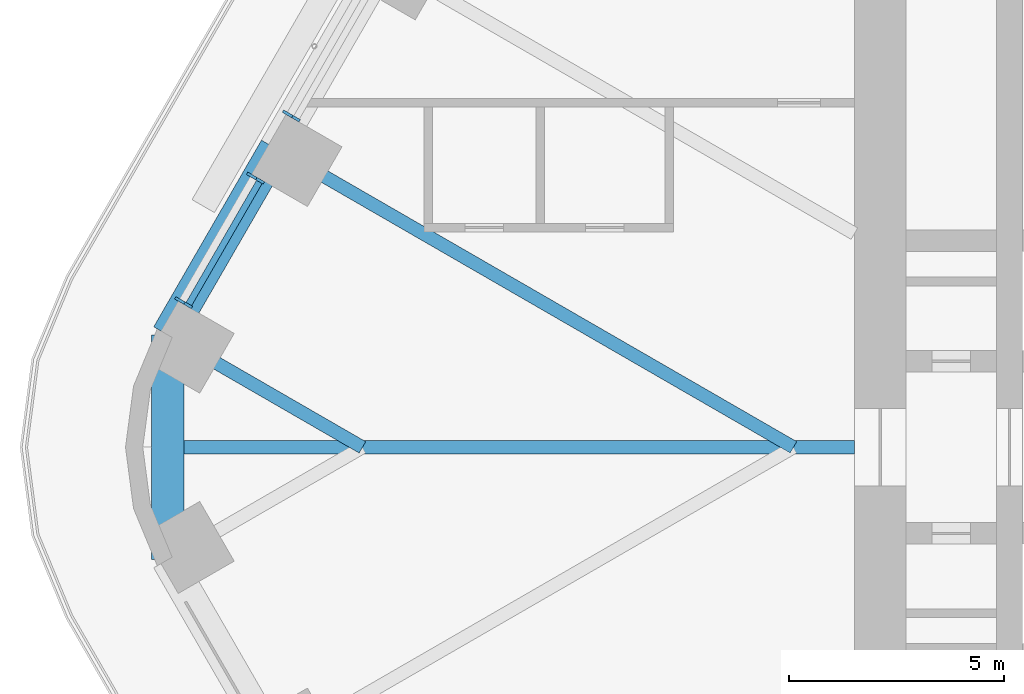
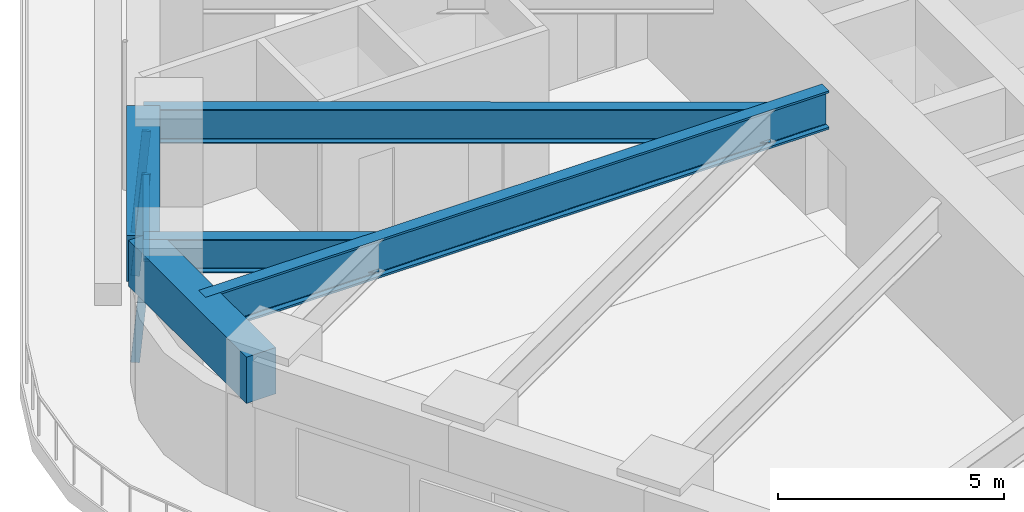
# One storey, part 6 of 24: 5 beams, 4 members, 2 elements without a shape of their own.
"""IFC4 building model written with IfcOpenShell, lengths in metres."""

from ifc_helpers import new_model, si_unit, direction, frame, origin, origin_2d, place, context, subcontext, project, spatial, rectangle, i_section, extrude, material, material_profile, profile_set, type_object, element, aggregate, save


model = new_model("IFC4")

# Units and contexts
model_context = context("Model", 3, precision=1e-05, world=origin(), true_north=direction((0.0, 1.0)))
body_context = subcontext(model_context, "Body", "Model", "MODEL_VIEW")
ifc_project = project(units=[si_unit("LENGTHUNIT", "METRE"), si_unit("AREAUNIT", "SQUARE_METRE"), si_unit("VOLUMEUNIT", "CUBIC_METRE"), si_unit("PLANEANGLEUNIT", "RADIAN"), si_unit("MASSUNIT", "GRAM", prefix="KILO")], contexts=[model_context])

# Site, building, storey
site_placement = place(None, origin())
site = spatial("IfcSite", under=ifc_project, at=site_placement, CompositionType="ELEMENT")
building_placement = place(site_placement, origin())
building = spatial("IfcBuilding", under=site, at=building_placement, Name="Tarfa Lantern Tower", CompositionType="ELEMENT")
storey_placement = place(building_placement, frame((0.0, 0.0, 144.699951171875)))
storey = spatial("IfcBuildingStorey", under=building, at=storey_placement, Name="L32", CompositionType="ELEMENT", Elevation=144.699951171875)

# Curtain wall, member
ifc_material_1 = material(Name="Aluminium framed curtain wall", Category="aluminium")
curtain_wall_type = type_object("IfcCurtainWallType", Name="CW2 CANTED GLAZING MID ZONE 2750", PredefinedType="USERDEFINED", material=ifc_material_1)
curtain_wall_1_placement = place(storey_placement, origin())
curtain_wall_1 = element("IfcCurtainWall", 1, at=curtain_wall_1_placement, inside=storey, type_object=curtain_wall_type, Name="CW2 NWB L32", ObjectType="CURTAIN WALL", PredefinedType="USERDEFINED")
ifc_material_2 = material(Name="Aluminium mullion", Category="aluminium")
ifc_material_profile_1 = material_profile(ifc_material_2, rectangle(XDim=0.06494140625, YDim=0.199951171875, at=origin_2d()), Name="AL MULLION 65x200")
ifc_profile_set_1 = profile_set([ifc_material_profile_1], Name="Aluminium mullion")
member_type_1 = type_object("IfcMemberType", Name="CWM1 MULLION 65x200", PredefinedType="MULLION", material=ifc_profile_set_1)
member_1_placement = place(storey_placement, frame((-31.78076171875, 7.75439453125, 0.0), z_axis=(0.078422950161, -0.045267813396, 0.995891894715), x_axis=(0.499919672301, 0.866071776036, 0.0)))
member_1 = element("IfcMember", 2, at=member_1_placement, type_object=member_type_1, Name="CW2 mullion 2", PredefinedType="MULLION", context=body_context, shape_type="SweptSolid", body=[
    extrude(rectangle(XDim=0.06494140625, YDim=0.199951171875, at=origin_2d()), origin(), (0.0, 0.0, 1.0), 2.76123046875),
])
aggregate(curtain_wall_1, [member_1])

# Curtain wall, members
curtain_wall_2_placement = place(storey_placement, origin())
curtain_wall_2 = element("IfcCurtainWall", 3, at=curtain_wall_2_placement, inside=storey, type_object=curtain_wall_type, Name="CW2 NWB L32", ObjectType="CURTAIN WALL", PredefinedType="USERDEFINED")
member_2_placement = place(storey_placement, frame((-32.613037109375, 6.312255859375, 0.0), z_axis=(0.078335079308, -0.045268127094, 0.995898796073), x_axis=(0.500342721131, 0.865827443207, 0.0)))
member_2 = element("IfcMember", 4, at=member_2_placement, type_object=member_type_1, Name="CW2 mullion 1", PredefinedType="MULLION", context=body_context, shape_type="SweptSolid", body=[
    extrude(rectangle(XDim=0.06494140625, YDim=0.199951171875, at=origin_2d()), origin(), (0.0, 0.0, 1.0), 2.76123046875),
])
member_3_placement = place(storey_placement, frame((-34.282470703125, 3.4208984375, 0.0), z_axis=(0.078422950161, -0.045267813396, 0.995891894715), x_axis=(0.499919672301, 0.866071776036, 0.0)))
member_3 = element("IfcMember", 5, at=member_3_placement, type_object=member_type_1, Name="CW2 mullion 2", PredefinedType="MULLION", context=body_context, shape_type="SweptSolid", body=[
    extrude(rectangle(XDim=0.06494140625, YDim=0.199951171875, at=origin_2d()), origin(), (0.0, 0.0, 1.0), 2.76123046875),
])
ifc_material_3 = material(Name="Aluminium transom", Category="aluminium")
ifc_material_profile_2 = material_profile(ifc_material_3, rectangle(XDim=0.14990234375, YDim=0.06494140625, at=origin_2d()), Name="AL TRANSOM 150x65")
ifc_profile_set_2 = profile_set([ifc_material_profile_2], Name="Aluminium transom")
member_type_2 = type_object("IfcMemberType", Name="CWT1 TRANSOM 150x65", PredefinedType="USERDEFINED", material=ifc_profile_set_2)
member_4_placement = place(storey_placement, frame((-32.41552734375, 6.16064453125, 2.717529296875), z_axis=(-0.499989298045, -0.866031582473, 0.0), x_axis=(0.866031582473, -0.499989298045, 0.0)))
member_4 = element("IfcMember", 6, at=member_4_placement, type_object=member_type_2, Name="CW2 transom 1.2", ObjectType="TRANSOM", PredefinedType="USERDEFINED", context=body_context, shape_type="SweptSolid", body=[
    extrude(rectangle(XDim=0.14990234375, YDim=0.06494140625, at=origin_2d()), origin(), (0.0, 0.0, 1.0), 3.2734375),
])
aggregate(curtain_wall_2, [member_2, member_3, member_4])

# Beams
ifc_material_4 = material(Name="Concrete C80/95", Category="concrete")
ifc_material_profile_3 = material_profile(ifc_material_4, rectangle(XDim=0.75, YDim=1.25, at=origin_2d()), Name="RC 750x1250")
ifc_profile_set_3 = profile_set([ifc_material_profile_3], Name="Concrete C80/95")
beam_type_1 = type_object("IfcBeamType", Name="EB2 RC 750x1250", PredefinedType="SPANDREL", material=ifc_profile_set_3)
beam_1_placement = place(storey_placement, frame((-32.041015625, 6.943359375, 3.375), z_axis=(-0.500022324899, -0.866012514114, 0.0), x_axis=(0.866012514114, -0.500022324899, 0.0)))
element("IfcBeam", 7, at=beam_1_placement, inside=storey, type_object=beam_type_1, Name="Edge beam NW5", PredefinedType="SPANDREL", context=body_context, shape_type="SweptSolid", body=[
    extrude(rectangle(XDim=0.75, YDim=1.25, at=origin_2d()), origin(), (0.0, 0.0, 1.0), 5.003662109375),
])
beam_2_placement = place(storey_placement, frame((-34.54296875, 2.610107421875, 3.375), z_axis=(0.0, -1.0, 0.0), x_axis=(1.0, 0.0, 0.0)))
element("IfcBeam", 8, at=beam_2_placement, inside=storey, type_object=beam_type_1, Name="Edge beam NW6", PredefinedType="SPANDREL", context=body_context, shape_type="SweptSolid", body=[
    extrude(rectangle(XDim=0.75, YDim=1.25, at=origin_2d()), origin(), (0.0, 0.0, 1.0), 5.22021484375),
])
ifc_material_5 = material(Name="Steel S460M", Category="steel")
ifc_material_profile_4 = material_profile(ifc_material_5, i_section(OverallWidth=0.30859375, OverallDepth=1.036376953125, WebThickness=0.030029296875, FlangeThickness=0.05419921875, FilletRadius=0.030029296875, at=origin_2d()), Name="UB1016x305x487")
ifc_profile_set_4 = profile_set([ifc_material_profile_4], Name="Steel S460M")
beam_type_2 = type_object("IfcBeamType", Name="UB1016x305x487", PredefinedType="BEAM", material=ifc_profile_set_4)
beam_3_placement = place(storey_placement, frame((-18.60009765625, 0.0, 3.48193359375), z_axis=(-1.0, 0.0, 0.0), x_axis=(0.0, -1.0, 0.0)))
element("IfcBeam", 9, at=beam_3_placement, inside=storey, type_object=beam_type_2, Name="Hip girder W", PredefinedType="BEAM", context=body_context, shape_type="SweptSolid", body=[
    extrude(i_section(OverallWidth=0.30859375, OverallDepth=1.036376953125, WebThickness=0.030029296875, FlangeThickness=0.05419921875, FilletRadius=0.030029296875, at=origin_2d()), origin(), (0.0, 0.0, 1.0), 15.94287109375),
])
ifc_material_profile_5 = material_profile(ifc_material_5, i_section(OverallWidth=0.305419921875, OverallDepth=0.91845703125, WebThickness=0.017333984375, FlangeThickness=0.02783203125, FilletRadius=0.01904296875, at=origin_2d()), Name="UB914x305x253")
ifc_profile_set_5 = profile_set([ifc_material_profile_5], Name="Steel S460M")
beam_type_3 = type_object("IfcBeamType", Name="UB914x305x253", PredefinedType="BEAM", material=ifc_profile_set_5)
beam_4_placement = place(storey_placement, frame((-32.041015625, 6.943359375, 3.540771484375), z_axis=(0.866023096411, -0.500003996466, 0.0), x_axis=(0.500003996466, 0.866023096411, 0.0)))
element("IfcBeam", 10, at=beam_4_placement, inside=storey, type_object=beam_type_3, Name="Floor beam NW5", PredefinedType="BEAM", context=body_context, shape_type="SweptSolid", body=[
    extrude(i_section(OverallWidth=0.305419921875, OverallDepth=0.91845703125, WebThickness=0.017333984375, FlangeThickness=0.02783203125, FilletRadius=0.01904296875, at=origin_2d()), origin(), (0.0, 0.0, 1.0), 13.88671875),
])
beam_5_placement = place(storey_placement, frame((-34.54296875, 2.610107421875, 3.540771484375), z_axis=(0.866021250859, -0.500007193008, 0.0), x_axis=(0.500007193008, 0.866021250859, 0.0)))
element("IfcBeam", 11, at=beam_5_placement, inside=storey, type_object=beam_type_3, Name="Floor beam NW6", PredefinedType="BEAM", context=body_context, shape_type="SweptSolid", body=[
    extrude(i_section(OverallWidth=0.305419921875, OverallDepth=0.91845703125, WebThickness=0.017333984375, FlangeThickness=0.02783203125, FilletRadius=0.01904296875, at=origin_2d()), origin(), (0.0, 0.0, 1.0), 5.22021484375),
])

save(model, "model.ifc")
